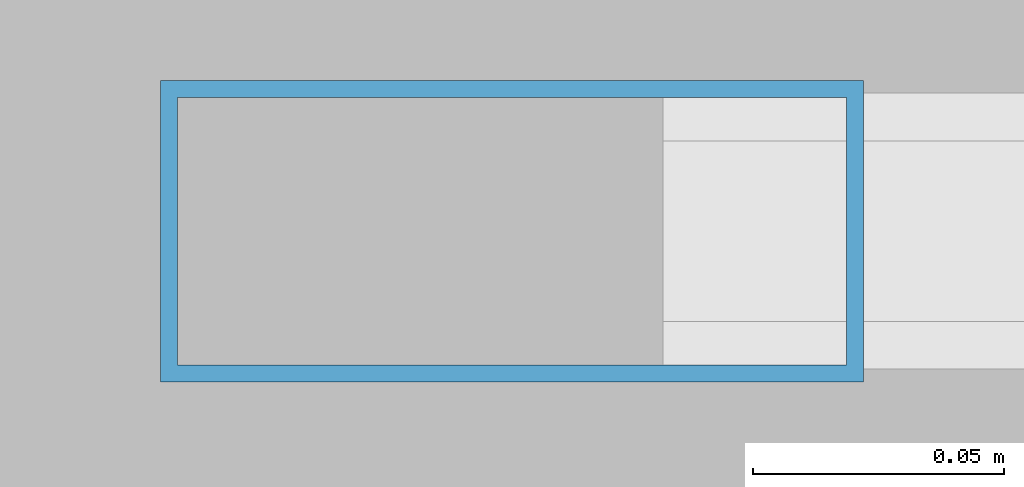
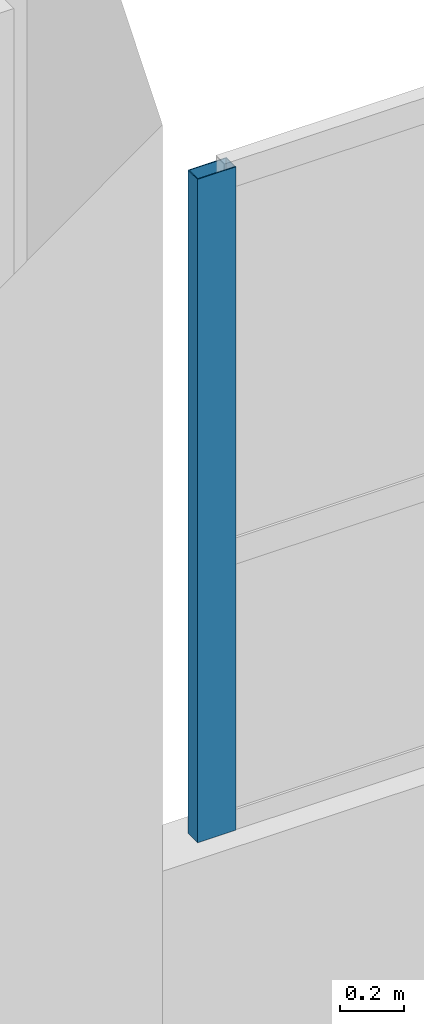
# One storey, part 131 of 181: 1 member, 1 element without a shape of its own.
"""IFC4 building model written with IfcOpenShell, lengths in metres."""

from ifc_helpers import new_model, si_unit, direction, frame, origin, origin_2d, place, context, subcontext, project, spatial, hollow_rectangle, extrude, material, layer, layer_set, material_profile, profile_set, type_object, element, aggregate, save


model = new_model("IFC4")

# Units and contexts
model_context = context("Model", 3, precision=1e-05, world=origin(), true_north=direction((0.0, 1.0)))
body_context = subcontext(model_context, "Body", "Model", "MODEL_VIEW")
ifc_project = project(units=[si_unit("LENGTHUNIT", "METRE"), si_unit("AREAUNIT", "SQUARE_METRE"), si_unit("VOLUMEUNIT", "CUBIC_METRE"), si_unit("PLANEANGLEUNIT", "RADIAN"), si_unit("MASSUNIT", "GRAM", prefix="KILO")], contexts=[model_context])

# Site, building, storey
site_placement = place(None, origin())
site = spatial("IfcSite", under=ifc_project, at=site_placement, CompositionType="ELEMENT")
building_placement = place(site_placement, origin())
building = spatial("IfcBuilding", under=site, at=building_placement, Name="Seraya Terrace Polytechnic", CompositionType="ELEMENT")
storey_placement = place(building_placement, frame((0.0, 0.0, 4.800048828125)))
storey = spatial("IfcBuildingStorey", under=building, at=storey_placement, Name="L01", CompositionType="ELEMENT", Elevation=4.800048828125)

# Curtain wall, member
ifc_material = material(Name="Anodised aluminium EN AW-6063 T6", Category="aluminium")
ifc_layer = layer(ifc_material, 0.179931640625, Name="CW-21")
ifc_layer_set = layer_set([ifc_layer], Name="Anodised aluminium EN AW-6063 T6")
curtain_wall_type = type_object("IfcCurtainWallType", Name="CW-21", PredefinedType="NOTDEFINED", material=ifc_layer_set)
curtain_wall_placement = place(storey_placement, origin())
curtain_wall = element("IfcCurtainWall", 1, at=curtain_wall_placement, inside=storey, type_object=curtain_wall_type, Name="Unitised curtain wall CW-21 (CW-L01-021)", PredefinedType="NOTDEFINED")
ifc_material_profile = material_profile(ifc_material, hollow_rectangle(XDim=0.06005859375, YDim=0.139892578125, WallThickness=0.00341796875, at=origin_2d()), Name="RHS 140x60x3.5")
ifc_profile_set = profile_set([ifc_material_profile], Name="Anodised aluminium EN AW-6063 T6")
member_type = type_object("IfcMemberType", Name="CWM-03", PredefinedType="MULLION", material=ifc_profile_set)
member_placement = place(storey_placement, frame((159.14990234375, 79.199951171875, 1.239990234375), z_axis=(0.0, 0.0, 1.0), x_axis=(0.0, 1.0, 0.0)))
member = element("IfcMember", 2, at=member_placement, type_object=member_type, Name="CW-21 mullion 1", PredefinedType="MULLION", context=body_context, shape_type="SweptSolid", body=[
    extrude(hollow_rectangle(XDim=0.06005859375, YDim=0.139892578125, WallThickness=0.00341796875, at=origin_2d()), origin(), (0.0, 0.0, 1.0), 2.5400390625),
])
aggregate(curtain_wall, [member])

save(model, "model.ifc")
